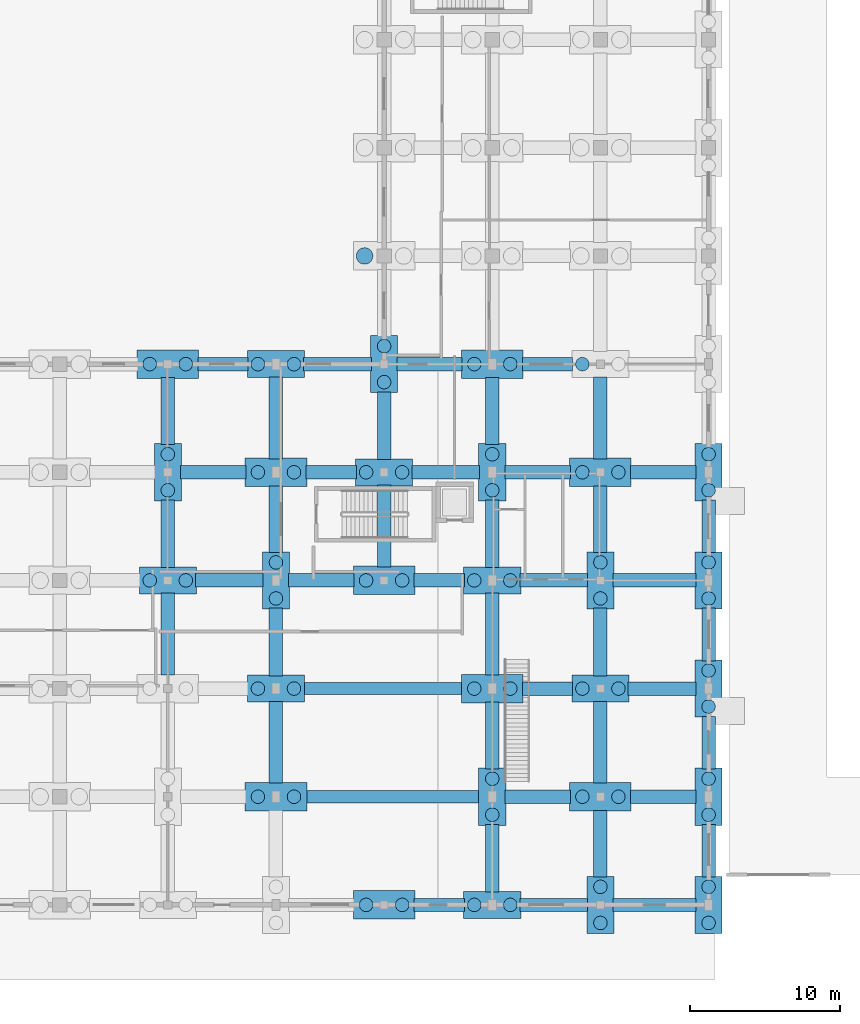
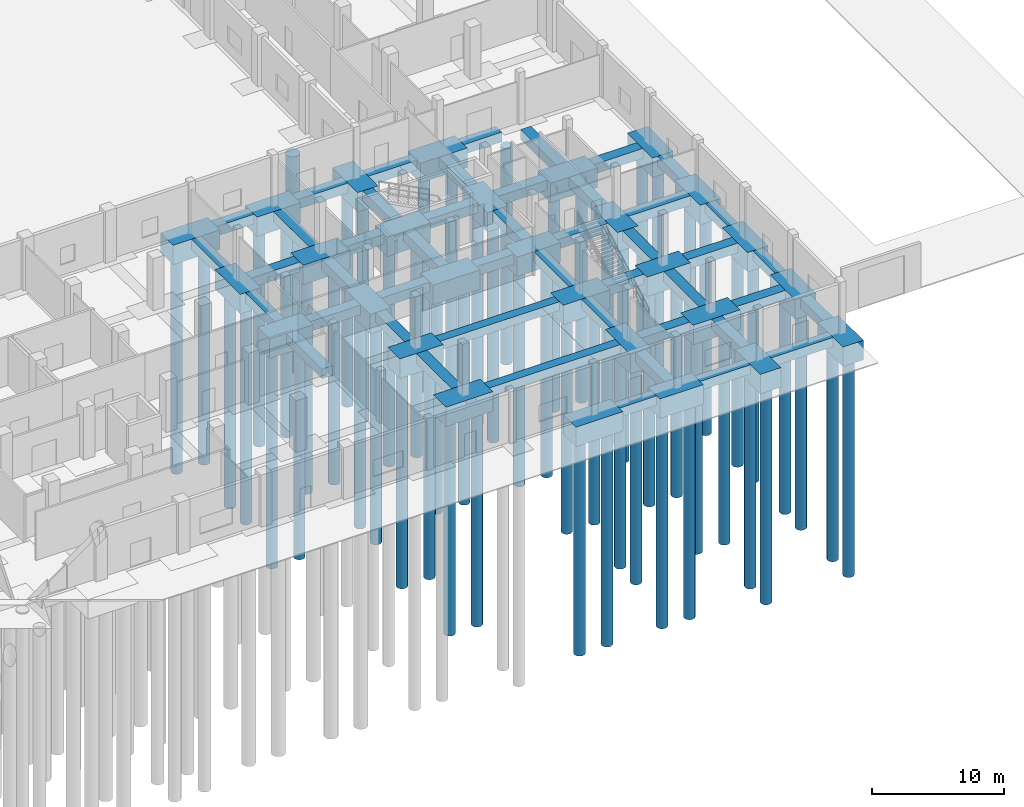
# One storey, part 10 of 48: 74 footings, 58 piles.
"""IFC4 building model written with IfcOpenShell, lengths in metres."""

from ifc_helpers import new_model, si_unit, direction, frame, origin, origin_2d, place, context, subcontext, project, spatial, rectangle, circle, extrude, material, material_profile, profile_set, type_object, element, save


model = new_model("IFC4")

# Units and contexts
model_context = context("Model", 3, precision=1e-05, world=origin(), true_north=direction((0.0, 1.0)))
body_context = subcontext(model_context, "Body", "Model", "MODEL_VIEW")
ifc_project = project(units=[si_unit("LENGTHUNIT", "METRE"), si_unit("AREAUNIT", "SQUARE_METRE"), si_unit("VOLUMEUNIT", "CUBIC_METRE"), si_unit("PLANEANGLEUNIT", "RADIAN"), si_unit("MASSUNIT", "GRAM", prefix="KILO")], contexts=[model_context])

# Site, building, storey
site_placement = place(None, origin())
site = spatial("IfcSite", under=ifc_project, at=site_placement, CompositionType="ELEMENT")
building_placement = place(site_placement, origin())
building = spatial("IfcBuilding", under=site, at=building_placement, Name="Seraya Terrace Polytechnic", CompositionType="ELEMENT")
storey_placement = place(building_placement, origin())
storey = spatial("IfcBuildingStorey", under=building, at=storey_placement, Name="L00", CompositionType="ELEMENT", Elevation=0.0)

# Piles
ifc_material = material(Name="Concrete C40/50", Category="concrete")
ifc_material_profile_1 = material_profile(ifc_material, circle(Radius=0.449951171875, at=origin_2d()), Name="DIA 900")
ifc_profile_set_1 = profile_set([ifc_material_profile_1], Name="Concrete C40/50")
pile_type_1 = type_object("IfcPileType", Name="BP-02", PredefinedType="BORED", material=ifc_profile_set_1)
for number, where, z_axis, x_axis, name in (
    (1, (128.39990234375, 21.60009765625, -1.699951171875), (0.0, 0.0, -1.0), (1.0, 0.0, 0.0), "Bored pile BP-02 1296_0216-1"),
    (2, (130.800048828125, 21.60009765625, -1.699951171875), (0.0, 0.0, -1.0), (1.0, 0.0, 0.0), "Bored pile BP-02 1296_0216-2"),
    (3, (129.60009765625, 27.60009765625, -1.699951171875), (0.0, 0.0, -1.0), (1.0, 0.0, 0.0), "Bored pile BP-02 1296_0288-1"),
    (4, (129.60009765625, 30.0, -1.699951171875), (0.0, 0.0, -1.0), (1.0, 0.0, 0.0), "Bored pile BP-02 1296_0288-2"),
    (5, (128.39990234375, 36.0, -1.699951171875), (0.0, 0.0, -1.0), (1.0, 0.0, 0.0), "Bored pile BP-02 1296_0360-1"),
    (6, (130.800048828125, 36.0, -1.699951171875), (0.0, 0.0, -1.0), (1.0, 0.0, 0.0), "Bored pile BP-02 1296_0360-2"),
    (7, (135.60009765625, 7.199951171875, -1.699951171875), (0.0, 0.0, -1.0), (1.0, 0.0, 0.0), "Bored pile BP-02 1368_0072-1"),
    (8, (138.0, 7.199951171875, -1.699951171875), (0.0, 0.0, -1.0), (1.0, 0.0, 0.0), "Bored pile BP-02 1368_0072-2"),
    (9, (135.60009765625, 14.39990234375, -1.699951171875), (0.0, 0.0, -1.0), (1.0, 0.0, 0.0), "Bored pile BP-02 1368_0144-1"),
    (10, (138.0, 14.39990234375, -1.699951171875), (0.0, 0.0, -1.0), (1.0, 0.0, 0.0), "Bored pile BP-02 1368_0144-2"),
    (11, (136.800048828125, 20.39990234375, -1.699951171875), (0.0, 0.0, -1.0), (1.0, 0.0, 0.0), "Bored pile BP-02 1368_0216-1"),
    (12, (136.800048828125, 22.800048828125, -1.699951171875), (0.0, 0.0, -1.0), (1.0, 0.0, 0.0), "Bored pile BP-02 1368_0216-2"),
    (13, (135.60009765625, 28.800048828125, -1.699951171875), (0.0, 0.0, -1.0), (1.0, 0.0, 0.0), "Bored pile BP-02 1368_0288-1"),
    (14, (138.0, 28.800048828125, -1.699951171875), (0.0, 0.0, -1.0), (1.0, 0.0, 0.0), "Bored pile BP-02 1368_0288-2"),
    (15, (135.60009765625, 36.0, -1.699951171875), (0.0, 0.0, -1.0), (1.0, 0.0, 0.0), "Bored pile BP-02 1368_0360-1"),
    (16, (138.0, 36.0, -1.699951171875), (0.0, 0.0, -1.0), (1.0, 0.0, 0.0), "Bored pile BP-02 1368_0360-2"),
    (17, (142.800048828125, 0.0, -1.699951171875), (0.0, 0.0, -1.0), (1.0, 0.0, 0.0), "Bored pile BP-02 1440_0000-1"),
    (18, (145.199951171875, 0.0, -1.699951171875), (0.0, 0.0, -1.0), (1.0, 0.0, 0.0), "Bored pile BP-02 1440_0000-2"),
    (19, (142.800048828125, 21.60009765625, -1.699951171875), (0.0, 0.0, -1.0), (1.0, 0.0, 0.0), "Bored pile BP-02 1440_0216-1"),
    (20, (145.199951171875, 21.60009765625, -1.699951171875), (0.0, 0.0, -1.0), (1.0, 0.0, 0.0), "Bored pile BP-02 1440_0216-2"),
    (21, (142.800048828125, 28.800048828125, -1.699951171875), (0.0, 0.0, -1.0), (1.0, 0.0, 0.0), "Bored pile BP-02 1440_0288-1"),
    (22, (145.199951171875, 28.800048828125, -1.699951171875), (0.0, 0.0, -1.0), (1.0, 0.0, 0.0), "Bored pile BP-02 1440_0288-2"),
    (23, (144.0, 34.800048828125, -1.699951171875), (0.0, 0.0, -1.0), (1.0, 0.0, 0.0), "Bored pile BP-02 1440_0360-1"),
    (24, (144.0, 37.199951171875, -1.699951171875), (0.0, 0.0, -1.0), (1.0, 0.0, 0.0), "Bored pile BP-02 1440_0360-2"),
    (25, (150.0, 0.0, -1.699951171875), (0.0, 0.0, -1.0), (1.0, 0.0, 0.0), "Bored pile BP-02 1512_0000-1"),
    (26, (152.39990234375, 0.0, -1.699951171875), (0.0, 0.0, -1.0), (1.0, 0.0, 0.0), "Bored pile BP-02 1512_0000-2"),
    (27, (151.199951171875, 6.0, -1.699951171875), (0.0, 0.0, -1.0), (1.0, 0.0, 0.0), "Bored pile BP-02 1512_0072-1"),
    (28, (151.199951171875, 8.39990234375, -1.699951171875), (0.0, 0.0, -1.0), (1.0, 0.0, 0.0), "Bored pile BP-02 1512_0072-2"),
    (29, (150.0, 14.39990234375, -1.699951171875), (0.0, 0.0, -1.0), (1.0, 0.0, 0.0), "Bored pile BP-02 1512_0144-1"),
    (30, (152.39990234375, 14.39990234375, -1.699951171875), (0.0, 0.0, -1.0), (1.0, 0.0, 0.0), "Bored pile BP-02 1512_0144-2"),
    (31, (150.0, 21.60009765625, -1.699951171875), (0.0, 0.0, -1.0), (1.0, 0.0, 0.0), "Bored pile BP-02 1512_0216-1"),
    (32, (152.39990234375, 21.60009765625, -1.699951171875), (0.0, 0.0, -1.0), (1.0, 0.0, 0.0), "Bored pile BP-02 1512_0216-2"),
    (33, (151.199951171875, 27.60009765625, -1.699951171875), (0.0, 0.0, -1.0), (1.0, 0.0, 0.0), "Bored pile BP-02 1512_0288-1"),
    (34, (151.199951171875, 30.0, -1.699951171875), (0.0, 0.0, -1.0), (1.0, 0.0, 0.0), "Bored pile BP-02 1512_0288-2"),
    (35, (150.0, 36.0, -1.699951171875), (0.0, 0.0, -1.0), (1.0, 0.0, 0.0), "Bored pile BP-02 1512_0360-1"),
    (36, (152.39990234375, 36.0, -1.699951171875), (0.0, 0.0, -1.0), (1.0, 0.0, 0.0), "Bored pile BP-02 1512_0360-2"),
    (37, (158.39990234375, -1.199951171875, -1.699951171875), (0.0, 0.0, -1.0), (1.0, 0.0, 0.0), "Bored pile BP-02 1584_0000-1"),
    (38, (158.39990234375, 1.199951171875, -1.699951171875), (0.0, 0.0, -1.0), (1.0, 0.0, 0.0), "Bored pile BP-02 1584_0000-2"),
    (39, (157.199951171875, 7.199951171875, -1.699951171875), (0.0, 0.0, -1.0), (1.0, 0.0, 0.0), "Bored pile BP-02 1584_0072-1"),
    (40, (159.60009765625, 7.199951171875, -1.699951171875), (0.0, 0.0, -1.0), (1.0, 0.0, 0.0), "Bored pile BP-02 1584_0072-2"),
    (41, (157.199951171875, 14.39990234375, -1.699951171875), (0.0, 0.0, -1.0), (1.0, 0.0, 0.0), "Bored pile BP-02 1584_0144-1"),
    (42, (159.60009765625, 14.39990234375, -1.699951171875), (0.0, 0.0, -1.0), (1.0, 0.0, 0.0), "Bored pile BP-02 1584_0144-2"),
    (43, (158.39990234375, 20.39990234375, -1.699951171875), (0.0, 0.0, -1.0), (1.0, 0.0, 0.0), "Bored pile BP-02 1584_0216-1"),
    (44, (158.39990234375, 22.800048828125, -1.699951171875), (0.0, 0.0, -1.0), (1.0, 0.0, 0.0), "Bored pile BP-02 1584_0216-2"),
    (45, (157.199951171875, 28.800048828125, -1.699951171875), (0.0, 0.0, -1.0), (1.0, 0.0, 0.0), "Bored pile BP-02 1584_0288-1"),
    (46, (159.60009765625, 28.800048828125, -1.699951171875), (0.0, 0.0, -1.0), (1.0, 0.0, 0.0), "Bored pile BP-02 1584_0288-2"),
    (47, (157.199951171875, 36.0, -1.699951171875), (0.0, 0.0, -1.0), (1.0, 0.0, 0.0), "Bored pile BP-02 1584_0360-1"),
    (48, (165.60009765625, -1.199951171875, -1.699951171875), (0.0, 0.0, -1.0), (1.0, 0.0, 0.0), "Bored pile BP-02 1656_0000-1"),
    (49, (165.60009765625, 1.199951171875, -1.699951171875), (0.0, 0.0, -1.0), (1.0, 0.0, 0.0), "Bored pile BP-02 1656_0000-2"),
    (50, (165.60009765625, 6.0, -1.699951171875), (0.0, 0.0, -1.0), (1.0, 0.0, 0.0), "Bored pile BP-02 1656_0072-1"),
    (51, (165.60009765625, 8.39990234375, -1.699951171875), (0.0, 0.0, -1.0), (1.0, 0.0, 0.0), "Bored pile BP-02 1656_0072-2"),
    (52, (165.60009765625, 13.199951171875, -1.699951171875), (0.0, 0.0, -1.0), (1.0, 0.0, 0.0), "Bored pile BP-02 1656_0144-1"),
    (53, (165.60009765625, 15.60009765625, -1.699951171875), (0.0, 0.0, -1.0), (1.0, 0.0, 0.0), "Bored pile BP-02 1656_0144-2"),
    (54, (165.60009765625, 20.39990234375, -1.699951171875), (0.0, 0.0, -1.0), (1.0, 0.0, 0.0), "Bored pile BP-02 1656_0216-1"),
    (55, (165.60009765625, 22.800048828125, -1.699951171875), (0.0, 0.0, -1.0), (1.0, 0.0, 0.0), "Bored pile BP-02 1656_0216-2"),
    (56, (165.60009765625, 27.60009765625, -1.699951171875), (0.0, 0.0, -1.0), (1.0, 0.0, 0.0), "Bored pile BP-02 1656_0288-1"),
    (57, (165.60009765625, 30.0, -1.699951171875), (0.0, 0.0, -1.0), (1.0, 0.0, 0.0), "Bored pile BP-02 1656_0288-2"),
):
    element("IfcPile", number, at=place(storey_placement, frame(where, z_axis=z_axis, x_axis=x_axis)), inside=storey, type_object=pile_type_1, Name=name, PredefinedType="BORED", context=body_context, shape_type="SweptSolid", body=[
        extrude(circle(Radius=0.449951171875, at=origin_2d()), origin(), (0.0, 0.0, 1.0), 20.0),
    ])
ifc_material_profile_2 = material_profile(ifc_material, circle(Radius=0.550048828125, at=origin_2d()), Name="DIA 1100")
ifc_profile_set_2 = profile_set([ifc_material_profile_2], Name="Concrete C40/50")
pile_type_2 = type_object("IfcPileType", Name="BP-04", PredefinedType="BORED", material=ifc_profile_set_2)
pile_placement = place(storey_placement, frame((142.699951171875, 43.199951171875, -1.699951171875), z_axis=(0.0, 0.0, -1.0), x_axis=(1.0, 0.0, 0.0)))
element("IfcPile", 58, at=pile_placement, inside=storey, type_object=pile_type_2, Name="Bored pile BP-04 1440_0432-1", PredefinedType="BORED", context=body_context, shape_type="SweptSolid", body=[
    extrude(circle(Radius=0.550048828125, at=origin_2d()), origin(), (0.0, 0.0, 1.0), 20.0),
])

# Footings
footing_type_1 = type_object("IfcFootingType", Name="FB-01", PredefinedType="FOOTING_BEAM", material=ifc_material)
footing_1_placement = place(storey_placement, frame((129.60009765625, 18.02490234375, -0.89990234375), z_axis=(0.0, 0.0, 1.0), x_axis=(0.0, 1.0, 0.0)))
element("IfcFooting", 59, at=footing_1_placement, inside=storey, type_object=footing_type_1, Name="Foundation tie beam FB-01 Y", PredefinedType="FOOTING_BEAM", context=body_context, shape_type="SweptSolid", body=[
    extrude(rectangle(XDim=5.449951171875, YDim=0.89990234375, at=origin_2d()), origin(), (0.0, 0.0, 1.0), 0.89990234375),
])
for number, where, z_axis, x_axis, name in (
    (60, (133.699951171875, 21.60009765625, -0.89990234375), (0.0, 0.0, 1.0), (1.0, 0.0, 0.0), "Foundation tie beam FB-01 X"),
    (61, (129.60009765625, 24.699951171875, -0.89990234375), (0.0, 0.0, 1.0), (0.0, 1.0, 0.0), "Foundation tie beam FB-01 Y"),
):
    element("IfcFooting", number, at=place(storey_placement, frame(where, z_axis=z_axis, x_axis=x_axis)), inside=storey, type_object=footing_type_1, Name=name, PredefinedType="FOOTING_BEAM", context=body_context, shape_type="SweptSolid", body=[
        extrude(rectangle(XDim=4.5, YDim=0.89990234375, at=origin_2d()), origin(), (0.0, 0.0, 1.0), 0.89990234375),
    ])
footing_2_placement = place(storey_placement, frame((132.625, 28.800048828125, -0.89990234375), z_axis=(0.0, 0.0, 1.0), x_axis=(1.0, 0.0, 0.0)))
element("IfcFooting", 62, at=footing_2_placement, inside=storey, type_object=footing_type_1, Name="Foundation tie beam FB-01 X", PredefinedType="FOOTING_BEAM", context=body_context, shape_type="SweptSolid", body=[
    extrude(rectangle(XDim=4.35009765625, YDim=0.89990234375, at=origin_2d()), origin(), (0.0, 0.0, 1.0), 0.89990234375),
])
footing_3_placement = place(storey_placement, frame((129.60009765625, 32.875, -0.89990234375), z_axis=(0.0, 0.0, 1.0), x_axis=(0.0, 1.0, 0.0)))
element("IfcFooting", 63, at=footing_3_placement, inside=storey, type_object=footing_type_1, Name="Foundation tie beam FB-01 Y", PredefinedType="FOOTING_BEAM", context=body_context, shape_type="SweptSolid", body=[
    extrude(rectangle(XDim=4.449951171875, YDim=0.89990234375, at=origin_2d()), origin(), (0.0, 0.0, 1.0), 0.89990234375),
])
footing_4_placement = place(storey_placement, frame((133.27490234375, 36.0, -0.89990234375), z_axis=(0.0, 0.0, 1.0), x_axis=(1.0, 0.0, 0.0)))
element("IfcFooting", 64, at=footing_4_placement, inside=storey, type_object=footing_type_1, Name="Foundation tie beam FB-01 X", PredefinedType="FOOTING_BEAM", context=body_context, shape_type="SweptSolid", body=[
    extrude(rectangle(XDim=3.35009765625, YDim=0.89990234375, at=origin_2d()), origin(), (0.0, 0.0, 1.0), 0.89990234375),
])
footing_5_placement = place(storey_placement, frame((136.800048828125, 10.824951171875, -0.89990234375), z_axis=(0.0, 0.0, 1.0), x_axis=(0.0, 1.0, 0.0)))
element("IfcFooting", 65, at=footing_5_placement, inside=storey, type_object=footing_type_1, Name="Foundation tie beam FB-01 Y", PredefinedType="FOOTING_BEAM", context=body_context, shape_type="SweptSolid", body=[
    extrude(rectangle(XDim=5.449951171875, YDim=0.89990234375, at=origin_2d()), origin(), (0.0, 0.0, 1.0), 0.89990234375),
])
footing_6_placement = place(storey_placement, frame((136.800048828125, 17.5, -0.89990234375), z_axis=(0.0, 0.0, 1.0), x_axis=(0.0, 1.0, 0.0)))
element("IfcFooting", 66, at=footing_6_placement, inside=storey, type_object=footing_type_1, Name="Foundation tie beam FB-01 Y", PredefinedType="FOOTING_BEAM", context=body_context, shape_type="SweptSolid", body=[
    extrude(rectangle(XDim=4.5, YDim=0.89990234375, at=origin_2d()), origin(), (0.0, 0.0, 1.0), 0.89990234375),
])
footing_7_placement = place(storey_placement, frame((139.824951171875, 21.60009765625, -0.89990234375), z_axis=(0.0, 0.0, 1.0), x_axis=(1.0, 0.0, 0.0)))
element("IfcFooting", 67, at=footing_7_placement, inside=storey, type_object=footing_type_1, Name="Foundation tie beam FB-01 X", PredefinedType="FOOTING_BEAM", context=body_context, shape_type="SweptSolid", body=[
    extrude(rectangle(XDim=4.35009765625, YDim=0.89990234375, at=origin_2d()), origin(), (0.0, 0.0, 1.0), 0.89990234375),
])
footing_8_placement = place(storey_placement, frame((136.800048828125, 25.675048828125, -0.89990234375), z_axis=(0.0, 0.0, 1.0), x_axis=(0.0, 1.0, 0.0)))
element("IfcFooting", 68, at=footing_8_placement, inside=storey, type_object=footing_type_1, Name="Foundation tie beam FB-01 Y", PredefinedType="FOOTING_BEAM", context=body_context, shape_type="SweptSolid", body=[
    extrude(rectangle(XDim=4.449951171875, YDim=0.89990234375, at=origin_2d()), origin(), (0.0, 0.0, 1.0), 0.89990234375),
])
footing_9_placement = place(storey_placement, frame((140.47509765625, 28.800048828125, -0.89990234375), z_axis=(0.0, 0.0, 1.0), x_axis=(1.0, 0.0, 0.0)))
element("IfcFooting", 69, at=footing_9_placement, inside=storey, type_object=footing_type_1, Name="Foundation tie beam FB-01 X", PredefinedType="FOOTING_BEAM", context=body_context, shape_type="SweptSolid", body=[
    extrude(rectangle(XDim=3.35009765625, YDim=0.89990234375, at=origin_2d()), origin(), (0.0, 0.0, 1.0), 0.89990234375),
])
footing_10_placement = place(storey_placement, frame((136.800048828125, 32.425048828125, -0.89990234375), z_axis=(0.0, 0.0, 1.0), x_axis=(0.0, 1.0, 0.0)))
element("IfcFooting", 70, at=footing_10_placement, inside=storey, type_object=footing_type_1, Name="Foundation tie beam FB-01 Y", PredefinedType="FOOTING_BEAM", context=body_context, shape_type="SweptSolid", body=[
    extrude(rectangle(XDim=5.449951171875, YDim=0.89990234375, at=origin_2d()), origin(), (0.0, 0.0, 1.0), 0.89990234375),
])
footing_11_placement = place(storey_placement, frame((140.89990234375, 36.0, -0.89990234375), z_axis=(0.0, 0.0, 1.0), x_axis=(1.0, 0.0, 0.0)))
element("IfcFooting", 71, at=footing_11_placement, inside=storey, type_object=footing_type_1, Name="Foundation tie beam FB-01 X", PredefinedType="FOOTING_BEAM", context=body_context, shape_type="SweptSolid", body=[
    extrude(rectangle(XDim=4.5, YDim=0.89990234375, at=origin_2d()), origin(), (0.0, 0.0, 1.0), 0.89990234375),
])
footing_12_placement = place(storey_placement, frame((147.675048828125, 21.60009765625, -0.89990234375), z_axis=(0.0, 0.0, 1.0), x_axis=(1.0, 0.0, 0.0)))
element("IfcFooting", 72, at=footing_12_placement, inside=storey, type_object=footing_type_1, Name="Foundation tie beam FB-01 X", PredefinedType="FOOTING_BEAM", context=body_context, shape_type="SweptSolid", body=[
    extrude(rectangle(XDim=3.35009765625, YDim=0.89990234375, at=origin_2d()), origin(), (0.0, 0.0, 1.0), 0.89990234375),
])
footing_13_placement = place(storey_placement, frame((144.0, 25.22509765625, -0.89990234375), z_axis=(0.0, 0.0, 1.0), x_axis=(0.0, 1.0, 0.0)))
element("IfcFooting", 73, at=footing_13_placement, inside=storey, type_object=footing_type_1, Name="Foundation tie beam FB-01 Y", PredefinedType="FOOTING_BEAM", context=body_context, shape_type="SweptSolid", body=[
    extrude(rectangle(XDim=5.449951171875, YDim=0.89990234375, at=origin_2d()), origin(), (0.0, 0.0, 1.0), 0.89990234375),
])
for number, where, z_axis, x_axis, name in (
    (74, (148.10009765625, 28.800048828125, -0.89990234375), (0.0, 0.0, 1.0), (1.0, 0.0, 0.0), "Foundation tie beam FB-01 X"),
    (75, (144.0, 31.89990234375, -0.89990234375), (0.0, 0.0, 1.0), (0.0, 1.0, 0.0), "Foundation tie beam FB-01 Y"),
):
    element("IfcFooting", number, at=place(storey_placement, frame(where, z_axis=z_axis, x_axis=x_axis)), inside=storey, type_object=footing_type_1, Name=name, PredefinedType="FOOTING_BEAM", context=body_context, shape_type="SweptSolid", body=[
        extrude(rectangle(XDim=4.5, YDim=0.89990234375, at=origin_2d()), origin(), (0.0, 0.0, 1.0), 0.89990234375),
    ])
footing_14_placement = place(storey_placement, frame((147.02490234375, 36.0, -0.89990234375), z_axis=(0.0, 0.0, 1.0), x_axis=(1.0, 0.0, 0.0)))
element("IfcFooting", 76, at=footing_14_placement, inside=storey, type_object=footing_type_1, Name="Foundation tie beam FB-01 X", PredefinedType="FOOTING_BEAM", context=body_context, shape_type="SweptSolid", body=[
    extrude(rectangle(XDim=4.35009765625, YDim=0.89990234375, at=origin_2d()), origin(), (0.0, 0.0, 1.0), 0.89990234375),
])
footing_15_placement = place(storey_placement, frame((151.199951171875, 3.10009765625, -0.89990234375), z_axis=(0.0, 0.0, 1.0), x_axis=(0.0, 1.0, 0.0)))
element("IfcFooting", 77, at=footing_15_placement, inside=storey, type_object=footing_type_1, Name="Foundation tie beam FB-01 Y", PredefinedType="FOOTING_BEAM", context=body_context, shape_type="SweptSolid", body=[
    extrude(rectangle(XDim=4.5, YDim=0.89990234375, at=origin_2d()), origin(), (0.0, 0.0, 1.0), 0.89990234375),
])
footing_16_placement = place(storey_placement, frame((154.22509765625, 7.199951171875, -0.89990234375), z_axis=(0.0, 0.0, 1.0), x_axis=(1.0, 0.0, 0.0)))
element("IfcFooting", 78, at=footing_16_placement, inside=storey, type_object=footing_type_1, Name="Foundation tie beam FB-01 X", PredefinedType="FOOTING_BEAM", context=body_context, shape_type="SweptSolid", body=[
    extrude(rectangle(XDim=4.35009765625, YDim=0.89990234375, at=origin_2d()), origin(), (0.0, 0.0, 1.0), 0.89990234375),
])
footing_17_placement = place(storey_placement, frame((151.199951171875, 11.27490234375, -0.89990234375), z_axis=(0.0, 0.0, 1.0), x_axis=(0.0, 1.0, 0.0)))
element("IfcFooting", 79, at=footing_17_placement, inside=storey, type_object=footing_type_1, Name="Foundation tie beam FB-01 Y", PredefinedType="FOOTING_BEAM", context=body_context, shape_type="SweptSolid", body=[
    extrude(rectangle(XDim=4.449951171875, YDim=0.89990234375, at=origin_2d()), origin(), (0.0, 0.0, 1.0), 0.89990234375),
])
footing_18_placement = place(storey_placement, frame((154.875, 14.39990234375, -0.89990234375), z_axis=(0.0, 0.0, 1.0), x_axis=(1.0, 0.0, 0.0)))
element("IfcFooting", 80, at=footing_18_placement, inside=storey, type_object=footing_type_1, Name="Foundation tie beam FB-01 X", PredefinedType="FOOTING_BEAM", context=body_context, shape_type="SweptSolid", body=[
    extrude(rectangle(XDim=3.35009765625, YDim=0.89990234375, at=origin_2d()), origin(), (0.0, 0.0, 1.0), 0.89990234375),
])
footing_19_placement = place(storey_placement, frame((151.199951171875, 18.02490234375, -0.89990234375), z_axis=(0.0, 0.0, 1.0), x_axis=(0.0, 1.0, 0.0)))
element("IfcFooting", 81, at=footing_19_placement, inside=storey, type_object=footing_type_1, Name="Foundation tie beam FB-01 Y", PredefinedType="FOOTING_BEAM", context=body_context, shape_type="SweptSolid", body=[
    extrude(rectangle(XDim=5.449951171875, YDim=0.89990234375, at=origin_2d()), origin(), (0.0, 0.0, 1.0), 0.89990234375),
])
for number, where, z_axis, x_axis, name in (
    (82, (155.300048828125, 21.60009765625, -0.89990234375), (0.0, 0.0, 1.0), (1.0, 0.0, 0.0), "Foundation tie beam FB-01 X"),
    (83, (151.199951171875, 24.699951171875, -0.89990234375), (0.0, 0.0, 1.0), (0.0, 1.0, 0.0), "Foundation tie beam FB-01 Y"),
):
    element("IfcFooting", number, at=place(storey_placement, frame(where, z_axis=z_axis, x_axis=x_axis)), inside=storey, type_object=footing_type_1, Name=name, PredefinedType="FOOTING_BEAM", context=body_context, shape_type="SweptSolid", body=[
        extrude(rectangle(XDim=4.5, YDim=0.89990234375, at=origin_2d()), origin(), (0.0, 0.0, 1.0), 0.89990234375),
    ])
footing_20_placement = place(storey_placement, frame((154.22509765625, 28.800048828125, -0.89990234375), z_axis=(0.0, 0.0, 1.0), x_axis=(1.0, 0.0, 0.0)))
element("IfcFooting", 84, at=footing_20_placement, inside=storey, type_object=footing_type_1, Name="Foundation tie beam FB-01 X", PredefinedType="FOOTING_BEAM", context=body_context, shape_type="SweptSolid", body=[
    extrude(rectangle(XDim=4.35009765625, YDim=0.89990234375, at=origin_2d()), origin(), (0.0, 0.0, 1.0), 0.89990234375),
])
footing_21_placement = place(storey_placement, frame((151.199951171875, 32.875, -0.89990234375), z_axis=(0.0, 0.0, 1.0), x_axis=(0.0, 1.0, 0.0)))
element("IfcFooting", 85, at=footing_21_placement, inside=storey, type_object=footing_type_1, Name="Foundation tie beam FB-01 Y", PredefinedType="FOOTING_BEAM", context=body_context, shape_type="SweptSolid", body=[
    extrude(rectangle(XDim=4.449951171875, YDim=0.89990234375, at=origin_2d()), origin(), (0.0, 0.0, 1.0), 0.89990234375),
])
footing_22_placement = place(storey_placement, frame((154.875, 36.0, -0.89990234375), z_axis=(0.0, 0.0, 1.0), x_axis=(1.0, 0.0, 0.0)))
element("IfcFooting", 86, at=footing_22_placement, inside=storey, type_object=footing_type_1, Name="Foundation tie beam FB-01 X", PredefinedType="FOOTING_BEAM", context=body_context, shape_type="SweptSolid", body=[
    extrude(rectangle(XDim=3.35009765625, YDim=0.89990234375, at=origin_2d()), origin(), (0.0, 0.0, 1.0), 0.89990234375),
])
footing_23_placement = place(storey_placement, frame((158.39990234375, 4.074951171875, -0.89990234375), z_axis=(0.0, 0.0, 1.0), x_axis=(0.0, 1.0, 0.0)))
element("IfcFooting", 87, at=footing_23_placement, inside=storey, type_object=footing_type_1, Name="Foundation tie beam FB-01 Y", PredefinedType="FOOTING_BEAM", context=body_context, shape_type="SweptSolid", body=[
    extrude(rectangle(XDim=4.449951171875, YDim=0.89990234375, at=origin_2d()), origin(), (0.0, 0.0, 1.0), 0.89990234375),
])
footing_24_placement = place(storey_placement, frame((162.574951171875, 7.199951171875, -0.89990234375), z_axis=(0.0, 0.0, 1.0), x_axis=(1.0, 0.0, 0.0)))
element("IfcFooting", 88, at=footing_24_placement, inside=storey, type_object=footing_type_1, Name="Foundation tie beam FB-01 X", PredefinedType="FOOTING_BEAM", context=body_context, shape_type="SweptSolid", body=[
    extrude(rectangle(XDim=4.35009765625, YDim=0.89990234375, at=origin_2d()), origin(), (0.0, 0.0, 1.0), 0.89990234375),
])
footing_25_placement = place(storey_placement, frame((158.39990234375, 10.824951171875, -0.89990234375), z_axis=(0.0, 0.0, 1.0), x_axis=(0.0, 1.0, 0.0)))
element("IfcFooting", 89, at=footing_25_placement, inside=storey, type_object=footing_type_1, Name="Foundation tie beam FB-01 Y", PredefinedType="FOOTING_BEAM", context=body_context, shape_type="SweptSolid", body=[
    extrude(rectangle(XDim=5.449951171875, YDim=0.89990234375, at=origin_2d()), origin(), (0.0, 0.0, 1.0), 0.89990234375),
])
for number, where, z_axis, x_axis, name in (
    (90, (162.5, 14.39990234375, -0.89990234375), (0.0, 0.0, 1.0), (1.0, 0.0, 0.0), "Foundation tie beam FB-01 X"),
    (91, (158.39990234375, 17.5, -0.89990234375), (0.0, 0.0, 1.0), (0.0, 1.0, 0.0), "Foundation tie beam FB-01 Y"),
):
    element("IfcFooting", number, at=place(storey_placement, frame(where, z_axis=z_axis, x_axis=x_axis)), inside=storey, type_object=footing_type_1, Name=name, PredefinedType="FOOTING_BEAM", context=body_context, shape_type="SweptSolid", body=[
        extrude(rectangle(XDim=4.5, YDim=0.89990234375, at=origin_2d()), origin(), (0.0, 0.0, 1.0), 0.89990234375),
    ])
footing_26_placement = place(storey_placement, frame((162.0, 21.60009765625, -0.89990234375), z_axis=(0.0, 0.0, 1.0), x_axis=(1.0, 0.0, 0.0)))
element("IfcFooting", 92, at=footing_26_placement, inside=storey, type_object=footing_type_1, Name="Foundation tie beam FB-01 X", PredefinedType="FOOTING_BEAM", context=body_context, shape_type="SweptSolid", body=[
    extrude(rectangle(XDim=5.5, YDim=0.89990234375, at=origin_2d()), origin(), (0.0, 0.0, 1.0), 0.89990234375),
])
footing_27_placement = place(storey_placement, frame((158.39990234375, 25.675048828125, -0.89990234375), z_axis=(0.0, 0.0, 1.0), x_axis=(0.0, 1.0, 0.0)))
element("IfcFooting", 93, at=footing_27_placement, inside=storey, type_object=footing_type_1, Name="Foundation tie beam FB-01 Y", PredefinedType="FOOTING_BEAM", context=body_context, shape_type="SweptSolid", body=[
    extrude(rectangle(XDim=4.449951171875, YDim=0.89990234375, at=origin_2d()), origin(), (0.0, 0.0, 1.0), 0.89990234375),
])
footing_28_placement = place(storey_placement, frame((162.574951171875, 28.800048828125, -0.89990234375), z_axis=(0.0, 0.0, 1.0), x_axis=(1.0, 0.0, 0.0)))
element("IfcFooting", 94, at=footing_28_placement, inside=storey, type_object=footing_type_1, Name="Foundation tie beam FB-01 X", PredefinedType="FOOTING_BEAM", context=body_context, shape_type="SweptSolid", body=[
    extrude(rectangle(XDim=4.35009765625, YDim=0.89990234375, at=origin_2d()), origin(), (0.0, 0.0, 1.0), 0.89990234375),
])
footing_29_placement = place(storey_placement, frame((158.39990234375, 32.425048828125, -0.89990234375), z_axis=(0.0, 0.0, 1.0), x_axis=(0.0, 1.0, 0.0)))
element("IfcFooting", 95, at=footing_29_placement, inside=storey, type_object=footing_type_1, Name="Foundation tie beam FB-01 Y", PredefinedType="FOOTING_BEAM", context=body_context, shape_type="SweptSolid", body=[
    extrude(rectangle(XDim=5.449951171875, YDim=0.89990234375, at=origin_2d()), origin(), (0.0, 0.0, 1.0), 0.89990234375),
])
for number, where, z_axis, x_axis, name in (
    (96, (165.60009765625, 3.60009765625, -0.89990234375), (0.0, 0.0, 1.0), (0.0, 1.0, 0.0), "Foundation tie beam FB-01 Y"),
    (97, (165.60009765625, 10.800048828125, -0.89990234375), (0.0, 0.0, 1.0), (0.0, 1.0, 0.0), "Foundation tie beam FB-01 Y"),
    (98, (165.60009765625, 18.0, -0.89990234375), (0.0, 0.0, 1.0), (0.0, 1.0, 0.0), "Foundation tie beam FB-01 Y"),
    (99, (165.60009765625, 25.199951171875, -0.89990234375), (0.0, 0.0, 1.0), (0.0, 1.0, 0.0), "Foundation tie beam FB-01 Y"),
):
    element("IfcFooting", number, at=place(storey_placement, frame(where, z_axis=z_axis, x_axis=x_axis)), inside=storey, type_object=footing_type_1, Name=name, PredefinedType="FOOTING_BEAM", context=body_context, shape_type="SweptSolid", body=[
        extrude(rectangle(XDim=3.5, YDim=0.89990234375, at=origin_2d()), origin(), (0.0, 0.0, 1.0), 0.89990234375),
    ])
footing_type_2 = type_object("IfcFootingType", Name="FB-02", PredefinedType="FOOTING_BEAM", material=ifc_material)
footing_30_placement = place(storey_placement, frame((144.574951171875, 7.199951171875, -0.7998046875), z_axis=(0.0, 0.0, 1.0), x_axis=(1.0, 0.0, 0.0)))
element("IfcFooting", 100, at=footing_30_placement, inside=storey, type_object=footing_type_2, Name="Foundation tie beam FB-02 X", PredefinedType="FOOTING_BEAM", context=body_context, shape_type="SweptSolid", body=[
    extrude(rectangle(XDim=11.550048828125, YDim=0.800048828125, at=origin_2d()), origin(), (0.0, 0.0, 1.0), 0.800048828125),
])
footing_31_placement = place(storey_placement, frame((143.925048828125, 14.39990234375, -0.7998046875), z_axis=(0.0, 0.0, 1.0), x_axis=(1.0, 0.0, 0.0)))
element("IfcFooting", 101, at=footing_31_placement, inside=storey, type_object=footing_type_2, Name="Foundation tie beam FB-02 X", PredefinedType="FOOTING_BEAM", context=body_context, shape_type="SweptSolid", body=[
    extrude(rectangle(XDim=10.550048828125, YDim=0.800048828125, at=origin_2d()), origin(), (0.0, 0.0, 1.0), 0.800048828125),
])
footing_type_3 = type_object("IfcFootingType", Name="FB-04", PredefinedType="FOOTING_BEAM", material=ifc_material)
footing_32_placement = place(storey_placement, frame((147.675048828125, 0.0, -0.85009765625), z_axis=(0.0, 0.0, 1.0), x_axis=(1.0, 0.0, 0.0)))
element("IfcFooting", 102, at=footing_32_placement, inside=storey, type_object=footing_type_3, Name="Foundation tie beam FB-04 X", PredefinedType="FOOTING_BEAM", context=body_context, shape_type="SweptSolid", body=[
    extrude(rectangle(XDim=3.35009765625, YDim=0.85009765625, at=origin_2d()), origin(), (0.0, 0.0, 1.0), 0.85009765625),
])
footing_33_placement = place(storey_placement, frame((155.300048828125, 0.0, -0.85009765625), z_axis=(0.0, 0.0, 1.0), x_axis=(1.0, 0.0, 0.0)))
element("IfcFooting", 103, at=footing_33_placement, inside=storey, type_object=footing_type_3, Name="Foundation tie beam FB-04 X", PredefinedType="FOOTING_BEAM", context=body_context, shape_type="SweptSolid", body=[
    extrude(rectangle(XDim=4.5, YDim=0.85009765625, at=origin_2d()), origin(), (0.0, 0.0, 1.0), 0.85009765625),
])
footing_34_placement = place(storey_placement, frame((162.0, 0.0, -0.85009765625), z_axis=(0.0, 0.0, 1.0), x_axis=(1.0, 0.0, 0.0)))
element("IfcFooting", 104, at=footing_34_placement, inside=storey, type_object=footing_type_3, Name="Foundation tie beam FB-04 X", PredefinedType="FOOTING_BEAM", context=body_context, shape_type="SweptSolid", body=[
    extrude(rectangle(XDim=5.5, YDim=0.85009765625, at=origin_2d()), origin(), (0.0, 0.0, 1.0), 0.85009765625),
])
footing_type_4 = type_object("IfcFootingType", Name="PC-03", PredefinedType="PILE_CAP", material=ifc_material)
for number, where, z_axis, x_axis, name in (
    (105, (129.60009765625, 21.60009765625, -1.7998046875), (0.0, 0.0, 1.0), (1.0, 0.0, 0.0), "Pile cap PC-03 at (129.6, 21.6)"),
    (106, (136.800048828125, 14.39990234375, -1.7998046875), (0.0, 0.0, 1.0), (1.0, 0.0, 0.0), "Pile cap PC-03 at (136.8, 14.4)"),
    (107, (136.800048828125, 36.0, -1.7998046875), (0.0, 0.0, 1.0), (1.0, 0.0, 0.0), "Pile cap PC-03 at (136.8, 36.0)"),
    (108, (144.0, 28.800048828125, -1.7998046875), (0.0, 0.0, 1.0), (1.0, 0.0, 0.0), "Pile cap PC-03 at (144.0, 28.8)"),
    (109, (151.199951171875, 0.0, -1.7998046875), (0.0, 0.0, 1.0), (1.0, 0.0, 0.0), "Pile cap PC-03 at (151.2, 0.0)"),
    (110, (151.199951171875, 21.60009765625, -1.7998046875), (0.0, 0.0, 1.0), (1.0, 0.0, 0.0), "Pile cap PC-03 at (151.2, 21.6)"),
    (111, (158.39990234375, 14.39990234375, -1.7998046875), (0.0, 0.0, 1.0), (1.0, 0.0, 0.0), "Pile cap PC-03 at (158.4, 14.4)"),
):
    element("IfcFooting", number, at=place(storey_placement, frame(where, z_axis=z_axis, x_axis=x_axis)), inside=storey, type_object=footing_type_4, Name=name, PredefinedType="PILE_CAP", context=body_context, shape_type="SweptSolid", body=[
        extrude(rectangle(XDim=3.800048828125, YDim=1.800048828125, at=origin_2d()), origin(), (0.0, 0.0, 1.0), 1.800048828125),
    ])
footing_type_5 = type_object("IfcFootingType", Name="PC-04", PredefinedType="PILE_CAP", material=ifc_material)
for number, where, z_axis, x_axis, name in (
    (112, (129.60009765625, 28.800048828125, -1.7998046875), (0.0, 0.0, 1.0), (1.0, 0.0, 0.0), "Pile cap PC-04 at (129.6, 28.8)"),
    (113, (136.800048828125, 21.60009765625, -1.7998046875), (0.0, 0.0, 1.0), (1.0, 0.0, 0.0), "Pile cap PC-04 at (136.8, 21.6)"),
    (114, (144.0, 36.0, -1.7998046875), (0.0, 0.0, 1.0), (1.0, 0.0, 0.0), "Pile cap PC-04 at (144.0, 36.0)"),
    (115, (151.199951171875, 7.199951171875, -1.7998046875), (0.0, 0.0, 1.0), (1.0, 0.0, 0.0), "Pile cap PC-04 at (151.2, 7.2)"),
    (116, (151.199951171875, 28.800048828125, -1.7998046875), (0.0, 0.0, 1.0), (1.0, 0.0, 0.0), "Pile cap PC-04 at (151.2, 28.8)"),
    (117, (158.39990234375, 0.0, -1.7998046875), (0.0, 0.0, 1.0), (1.0, 0.0, 0.0), "Pile cap PC-04 at (158.4, 0.0)"),
    (118, (158.39990234375, 21.60009765625, -1.7998046875), (0.0, 0.0, 1.0), (1.0, 0.0, 0.0), "Pile cap PC-04 at (158.4, 21.6)"),
    (119, (165.60009765625, 0.0, -1.7998046875), (0.0, 0.0, 1.0), (1.0, 0.0, 0.0), "Pile cap PC-04 at (165.6, 0.0)"),
    (120, (165.60009765625, 7.199951171875, -1.7998046875), (0.0, 0.0, 1.0), (1.0, 0.0, 0.0), "Pile cap PC-04 at (165.6, 7.2)"),
    (121, (165.60009765625, 14.39990234375, -1.7998046875), (0.0, 0.0, 1.0), (1.0, 0.0, 0.0), "Pile cap PC-04 at (165.6, 14.4)"),
    (122, (165.60009765625, 21.60009765625, -1.7998046875), (0.0, 0.0, 1.0), (1.0, 0.0, 0.0), "Pile cap PC-04 at (165.6, 21.6)"),
    (123, (165.60009765625, 28.800048828125, -1.7998046875), (0.0, 0.0, 1.0), (1.0, 0.0, 0.0), "Pile cap PC-04 at (165.6, 28.8)"),
):
    element("IfcFooting", number, at=place(storey_placement, frame(where, z_axis=z_axis, x_axis=x_axis)), inside=storey, type_object=footing_type_5, Name=name, PredefinedType="PILE_CAP", context=body_context, shape_type="SweptSolid", body=[
        extrude(rectangle(XDim=1.800048828125, YDim=3.800048828125, at=origin_2d()), origin(), (0.0, 0.0, 1.0), 1.800048828125),
    ])
footing_type_6 = type_object("IfcFootingType", Name="PC-05", PredefinedType="PILE_CAP", material=ifc_material)
for number, where, z_axis, x_axis, name in (
    (124, (129.60009765625, 36.0, -1.7998046875), (0.0, 0.0, 1.0), (1.0, 0.0, 0.0), "Pile cap PC-05 at (129.6, 36.0)"),
    (125, (136.800048828125, 7.199951171875, -1.7998046875), (0.0, 0.0, 1.0), (1.0, 0.0, 0.0), "Pile cap PC-05 at (136.8, 7.2)"),
    (126, (136.800048828125, 28.800048828125, -1.7998046875), (0.0, 0.0, 1.0), (1.0, 0.0, 0.0), "Pile cap PC-05 at (136.8, 28.8)"),
    (127, (144.0, 0.0, -1.7998046875), (0.0, 0.0, 1.0), (1.0, 0.0, 0.0), "Pile cap PC-05 at (144.0, 0.0)"),
    (128, (144.0, 21.60009765625, -1.7998046875), (0.0, 0.0, 1.0), (1.0, 0.0, 0.0), "Pile cap PC-05 at (144.0, 21.6)"),
    (129, (151.199951171875, 14.39990234375, -1.7998046875), (0.0, 0.0, 1.0), (1.0, 0.0, 0.0), "Pile cap PC-05 at (151.2, 14.4)"),
    (130, (151.199951171875, 36.0, -1.7998046875), (0.0, 0.0, 1.0), (1.0, 0.0, 0.0), "Pile cap PC-05 at (151.2, 36.0)"),
    (131, (158.39990234375, 7.199951171875, -1.7998046875), (0.0, 0.0, 1.0), (1.0, 0.0, 0.0), "Pile cap PC-05 at (158.4, 7.2)"),
    (132, (158.39990234375, 28.800048828125, -1.7998046875), (0.0, 0.0, 1.0), (1.0, 0.0, 0.0), "Pile cap PC-05 at (158.4, 28.8)"),
):
    element("IfcFooting", number, at=place(storey_placement, frame(where, z_axis=z_axis, x_axis=x_axis)), inside=storey, type_object=footing_type_6, Name=name, PredefinedType="PILE_CAP", context=body_context, shape_type="SweptSolid", body=[
        extrude(rectangle(XDim=4.10009765625, YDim=1.89990234375, at=origin_2d()), origin(), (0.0, 0.0, 1.0), 1.800048828125),
    ])

save(model, "model.ifc")
